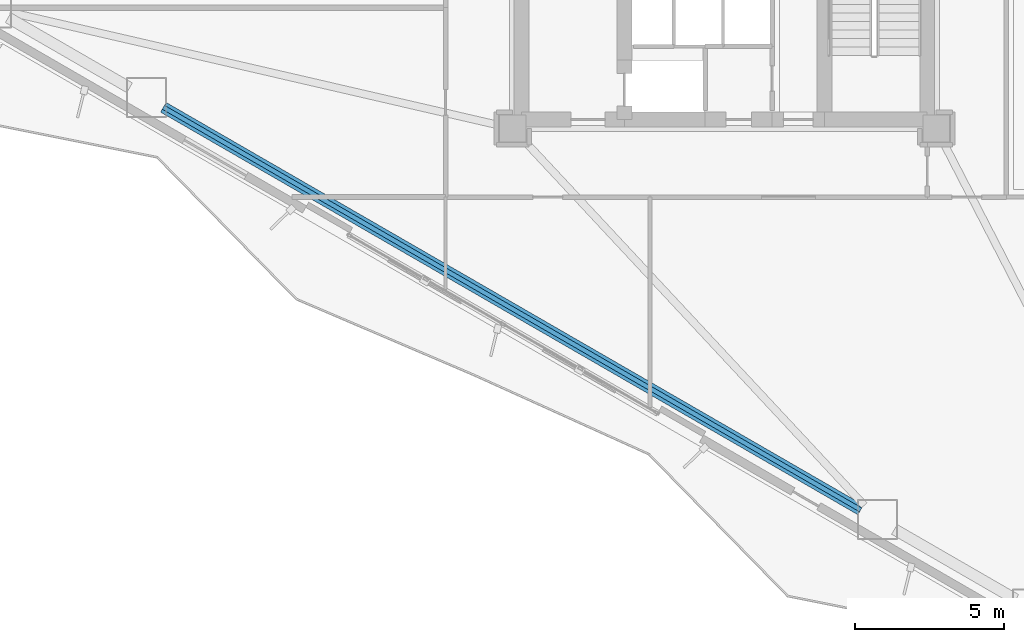
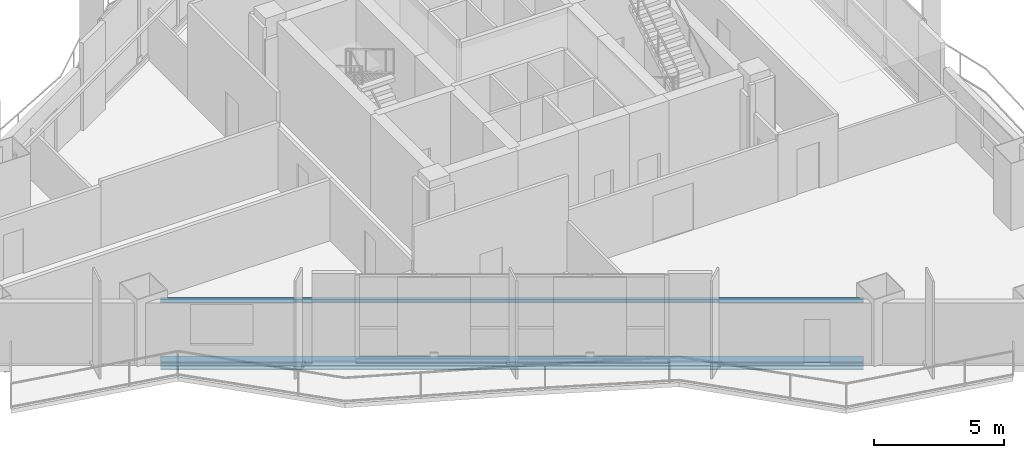
# One storey, part 3 of 16: 2 beams.
"""IFC4 building model written with IfcOpenShell, lengths in metres."""

import ifcopenshell
import ifcopenshell.guid

model = None  # the IFC model being written
_history = None  # IfcOwnerHistory: only IFC2X3 demands one
_inside = {}  # id of a spatial element -> (the spatial element, [elements in it])
_under = {}  # id of a project, library or spatial element -> (it, [spatial elements below it])
_declared = {}  # id of a project -> (the project, [libraries it declares])
_typed = {}  # id of a type object -> (the type object, [elements of that type])
_made_of = {}  # id of a material, layer set ... -> (it, [elements and type objects made of it])


def new_model(schema):
    """Start an empty IFC model of exactly this schema.

    Asked for "IFC4X3", IfcOpenShell would pick the latest addendum, in which some entities
    have other attributes; the version numbers below select the first issue.
    IFC2X3 requires an IfcOwnerHistory on every rooted entity: one is made here for all.
    """
    global model, _history
    if schema == "IFC4X3":
        model = ifcopenshell.file(schema_version=(4, 3, 0, 0))
    else:
        model = ifcopenshell.file(schema=schema)
    _inside.clear()
    _under.clear()
    _declared.clear()
    _typed.clear()
    _made_of.clear()
    _history = None
    if model.schema == "IFC2X3":
        org = make("IfcOrganization", Name="unknown")
        user = make(
            "IfcPersonAndOrganization",
            ThePerson=make("IfcPerson", FamilyName="unknown"),
            TheOrganization=org,
        )
        app = make(
            "IfcApplication",
            ApplicationDeveloper=org,
            Version="unknown",
            ApplicationFullName="unknown",
            ApplicationIdentifier="unknown",
        )
        _history = make(
            "IfcOwnerHistory",
            OwningUser=user,
            OwningApplication=app,
            ChangeAction="ADDED",
            CreationDate=0,
        )
    return model


def make(cls, **values):
    """One entity of the class cls with the attributes given. An attribute that is None is left unset."""
    return model.create_entity(
        cls, **{name: value for name, value in values.items() if value is not None}
    )


def rooted(cls, **values):
    """An entity with a GlobalId (a new one), such as an element, a storey or a relation."""
    return make(cls, GlobalId=ifcopenshell.guid.new(), OwnerHistory=_history, **values)


def si_unit(unit_type, name, prefix=None):
    """IfcSIUnit, for example si_unit("LENGTHUNIT", "METRE", prefix="MILLI")."""
    return make("IfcSIUnit", UnitType=unit_type, Prefix=prefix, Name=name)


def assignment(units):
    """IfcUnitAssignment: the units of a project."""
    return None if units is None else make("IfcUnitAssignment", Units=units)


def point(xyz):
    """IfcCartesianPoint."""
    return None if xyz is None else make("IfcCartesianPoint", Coordinates=xyz)


def direction(xyz):
    """IfcDirection."""
    return None if xyz is None else make("IfcDirection", DirectionRatios=xyz)


def frame(location, z_axis=None, x_axis=None):
    """IfcAxis2Placement3D, a coordinate frame: its origin and axes. An axis left out is left unset."""
    return make(
        "IfcAxis2Placement3D",
        Location=point(location),
        Axis=direction(z_axis),
        RefDirection=direction(x_axis),
    )


def frame_2d(location, x_axis=None):
    """IfcAxis2Placement2D, a coordinate frame in the plane: its origin and x axis."""
    return make(
        "IfcAxis2Placement2D", Location=point(location), RefDirection=direction(x_axis)
    )


def origin():
    """The frame at (0, 0, 0) with its axes left unset."""
    return frame((0.0, 0.0, 0.0))


def origin_2d():
    """The frame at (0, 0) in the plane with its x axis left unset."""
    return frame_2d((0.0, 0.0))


def place(relative_to, where):
    """IfcLocalPlacement: puts the frame where relative to a parent placement (None: the world)."""
    return make(
        "IfcLocalPlacement", PlacementRelTo=relative_to, RelativePlacement=where
    )


def context(
    kind, dimensions, precision=None, world=None, true_north=None, identifier=None
):
    """IfcGeometricRepresentationContext, for example the 3D "Model" context."""
    return make(
        "IfcGeometricRepresentationContext",
        ContextIdentifier=identifier,
        ContextType=kind,
        CoordinateSpaceDimension=dimensions,
        Precision=precision,
        WorldCoordinateSystem=world,
        TrueNorth=true_north,
    )


def subcontext(parent, identifier, kind, view, scale=None):
    """IfcGeometricRepresentationSubContext, for example "Body" below "Model"."""
    return make(
        "IfcGeometricRepresentationSubContext",
        ContextIdentifier=identifier,
        ContextType=kind,
        ParentContext=parent,
        TargetScale=scale,
        TargetView=view,
    )


def project(units=None, contexts=None):
    """IfcProject with its units and contexts."""
    return rooted(
        "IfcProject",
        Name="project",
        RepresentationContexts=contexts,
        UnitsInContext=assignment(units),
    )


def spatial(cls, under=None, at=None, **own):
    """A site, building, storey or space (cls), placed at a placement, below another one or the project."""
    s = rooted(cls, ObjectPlacement=at, **own)
    if under is not None:
        _under.setdefault(under.id(), (under, []))[1].append(s)
    return s


def profile(cls, at=None, kind="AREA", **sizes):
    """A parametric profile (cls). Its sizes go by their IFC names, for example OverallWidth=200.0."""
    return make(cls, ProfileType=kind, Position=at, **sizes)


def hollow_rectangle(**sizes):
    """IfcRectangleHollowProfileDef."""
    return profile("IfcRectangleHollowProfileDef", **sizes)


def i_section(**sizes):
    """IfcIShapeProfileDef."""
    return profile("IfcIShapeProfileDef", **sizes)


def extrude(swept, where, along, depth):
    """IfcExtrudedAreaSolid: the profile swept, set in the frame where, extruded along a direction by depth."""
    return make(
        "IfcExtrudedAreaSolid",
        SweptArea=swept,
        Position=where,
        ExtrudedDirection=direction(along),
        Depth=depth,
    )


def shape(context_of_items, identifier, shape_type, items):
    """IfcShapeRepresentation: the items that make up one representation, for example the "Body"."""
    return make(
        "IfcShapeRepresentation",
        ContextOfItems=context_of_items,
        RepresentationIdentifier=identifier,
        RepresentationType=shape_type,
        Items=items,
    )


def material(Name=None, Category=None):
    """IfcMaterial."""
    return make("IfcMaterial", Name=Name, Category=Category)


def material_profile(
    of_material, cross_section, Name=None, Category=None, Priority=None
):
    """IfcMaterialProfile: a cross section and its material."""
    return make(
        "IfcMaterialProfile",
        Name=Name,
        Material=of_material,
        Profile=cross_section,
        Priority=Priority,
        Category=Category,
    )


def profile_set(profiles, Name=None, composite=None):
    """IfcMaterialProfileSet."""
    return make(
        "IfcMaterialProfileSet",
        Name=Name,
        MaterialProfiles=profiles,
        CompositeProfile=composite,
    )


def made_of(thing, what):
    """Note that an element or type object is made of a material, layer set ...; save() writes the relation."""
    if what is not None:
        _made_of.setdefault(what.id(), (what, []))[1].append(thing)
    return thing


def type_object(cls, material=None, **own):
    """A type object (cls), such as IfcWallType, which elements share."""
    return made_of(rooted(cls, **own), material)


def element(
    cls,
    number,
    at=None,
    inside=None,
    cuts=None,
    type_object=None,
    material=None,
    context=None,
    identifier="Body",
    shape_type=None,
    held_by="IfcProductDefinitionShape",
    body=None,
    shapes=None,
    **own,
):
    """One element of the class cls, such as IfcWall. Its Tag is "e" and its number.

    at: its placement. inside: the storey or other place that contains it. cuts: it is an
    opening in that element (IfcRelVoidsElement). A single representation is given by context,
    identifier, shape_type and body (its items); several are given by shapes. held_by: the class
    of the entity that holds the representations. save() writes the other relations.
    """
    e = rooted(cls, Tag="e%d" % number, ObjectPlacement=at, **own)
    if body is not None:
        shapes = [shape(context, identifier, shape_type, body)]
    if shapes is not None:
        e.Representation = make(held_by, Representations=shapes)
    if inside is not None:
        _inside.setdefault(inside.id(), (inside, []))[1].append(e)
    if cuts is not None:
        rooted(
            "IfcRelVoidsElement", RelatingBuildingElement=cuts, RelatedOpeningElement=e
        )
    if type_object is not None:
        _typed.setdefault(type_object.id(), (type_object, []))[1].append(e)
    return made_of(e, material)


def aggregate(whole, parts):
    """IfcRelAggregates: a whole, such as a stair, and the parts it consists of."""
    return rooted("IfcRelAggregates", RelatingObject=whole, RelatedObjects=parts)


def save(model, path):
    """Write the relations noted so far, then the file.

    IfcRelAggregates (storeys below a building ...), IfcRelContainedInSpatialStructure (elements
    in a storey), IfcRelDefinesByType, IfcRelAssociatesMaterial and IfcRelDeclares: one each for
    every whole, place, type object, material and project.
    """
    for whole, parts in _under.values():
        aggregate(whole, parts)
    for where, things in _inside.values():
        rooted(
            "IfcRelContainedInSpatialStructure",
            RelatedElements=things,
            RelatingStructure=where,
        )
    for kind, things in _typed.values():
        rooted("IfcRelDefinesByType", RelatedObjects=things, RelatingType=kind)
    for what, things in _made_of.values():
        rooted("IfcRelAssociatesMaterial", RelatedObjects=things, RelatingMaterial=what)
    for by, libraries in _declared.values():
        rooted("IfcRelDeclares", RelatingContext=by, RelatedDefinitions=libraries)
    model.write(path)


model = new_model("IFC4")

# Units and contexts
model_context = context("Model", 3, precision=1e-05, world=origin(), true_north=direction((0.0, 1.0)))
body_context = subcontext(model_context, "Body", "Model", "MODEL_VIEW")
ifc_project = project(units=[si_unit("LENGTHUNIT", "METRE"), si_unit("AREAUNIT", "SQUARE_METRE"), si_unit("VOLUMEUNIT", "CUBIC_METRE"), si_unit("PLANEANGLEUNIT", "RADIAN"), si_unit("MASSUNIT", "GRAM", prefix="KILO")], contexts=[model_context])

# Site, building, storey
site_placement = place(None, origin())
site = spatial("IfcSite", under=ifc_project, at=site_placement, CompositionType="ELEMENT")
building_placement = place(site_placement, origin())
building = spatial("IfcBuilding", under=site, at=building_placement, Name="Mersakhor Tower and Convention Hall", CompositionType="ELEMENT")
storey_placement = place(building_placement, frame((0.0, 0.0, 62.10009765625)))
storey = spatial("IfcBuildingStorey", under=building, at=storey_placement, Name="L17", CompositionType="ELEMENT", Elevation=62.10009765625)

# Beams
ifc_material_1 = material(Name="Steel S355", Category="steel")
ifc_material_profile_1 = material_profile(ifc_material_1, hollow_rectangle(XDim=0.14990234375, YDim=0.14990234375, WallThickness=0.010009765625, at=origin_2d()), Name="SHS 150x150x10")
ifc_profile_set_1 = profile_set([ifc_material_profile_1], Name="Steel S355")
beam_type_1 = type_object("IfcBeamType", Name="BM-GRT-SHS150", PredefinedType="USERDEFINED", material=ifc_profile_set_1)
beam_1_placement = place(storey_placement, frame((33.566162109375, 7.6591796875, 2.47998046875), z_axis=(-0.866025970279, 0.499999018801, 0.0), x_axis=(-0.499999018801, -0.866025970279, 0.0)))
element("IfcBeam", 1, at=beam_1_placement, inside=storey, type_object=beam_type_1, Name="L17 Facade Support Girt GRT-F3", ObjectType="GIRT", PredefinedType="USERDEFINED", context=body_context, shape_type="SweptSolid", body=[
    extrude(hollow_rectangle(XDim=0.14990234375, YDim=0.14990234375, WallThickness=0.010009765625, at=origin_2d()), origin(), (0.0, 0.0, 1.0), 26.99951171875),
])
ifc_material_2 = material(Name="Steel S355", Category="steel")
ifc_material_profile_2 = material_profile(ifc_material_2, i_section(OverallWidth=0.374755859375, OverallDepth=0.37451171875, WebThickness=0.0166015625, FlangeThickness=0.027099609375, at=origin_2d()), Name="UC 356x368x202")
ifc_profile_set_2 = profile_set([ifc_material_profile_2], Name="Steel S355")
beam_type_2 = type_object("IfcBeamType", Name="BM-SPD-UC356", PredefinedType="SPANDREL", material=ifc_profile_set_2)
beam_2_placement = place(storey_placement, frame((33.566162109375, 7.6591796875, -0.46728515625), z_axis=(-0.866025970279, 0.499999018801, 0.0), x_axis=(-0.499999018801, -0.866025970279, 0.0)))
element("IfcBeam", 2, at=beam_2_placement, inside=storey, type_object=beam_type_2, Name="L17 Perimeter Spandrel Beam SPB-10", PredefinedType="SPANDREL", context=body_context, shape_type="SweptSolid", body=[
    extrude(i_section(OverallWidth=0.374755859375, OverallDepth=0.37451171875, WebThickness=0.0166015625, FlangeThickness=0.027099609375, at=origin_2d()), origin(), (0.0, 0.0, 1.0), 26.99951171875),
])

save(model, "model.ifc")
